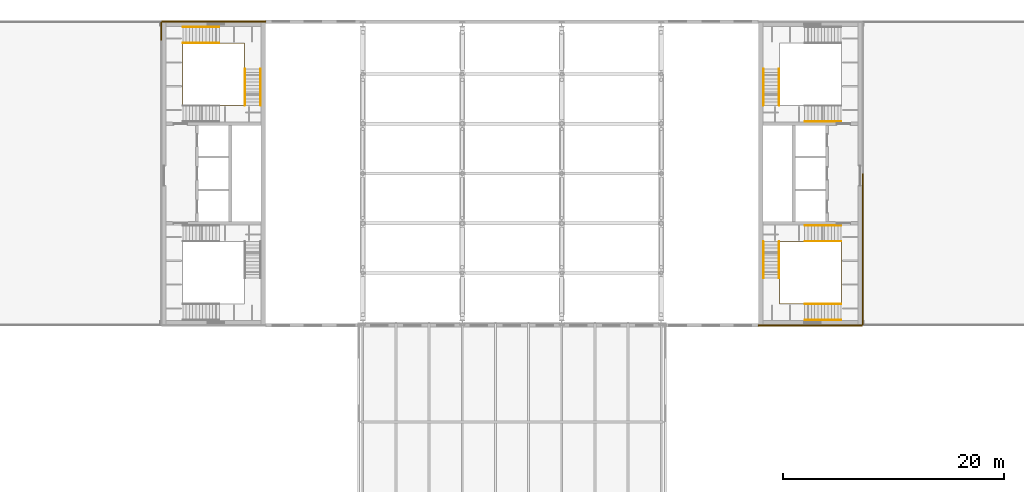
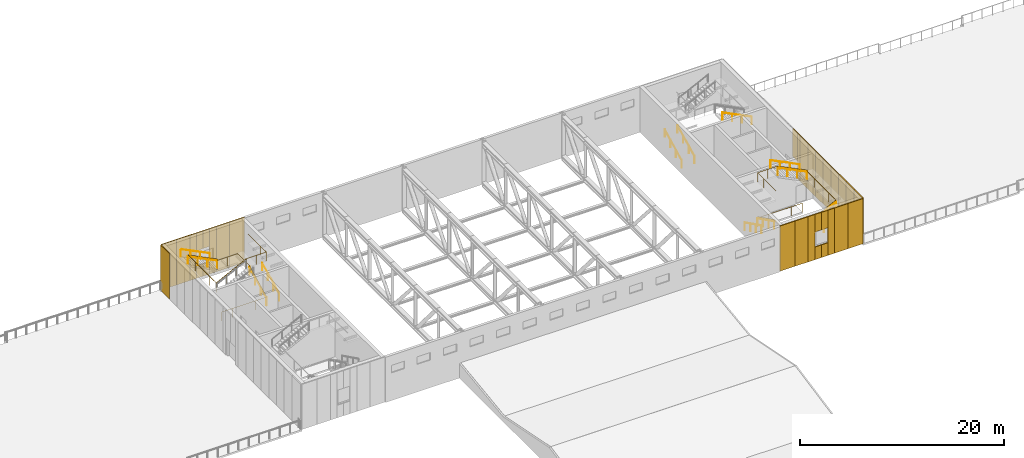
# One storey, part 27 of 29: 31 coverings, 15 railings.
"""IFC4 building model written with IfcOpenShell, lengths in metres."""

from ifc_helpers import new_model, si_unit, direction, frame, origin, origin_2d, place, context, subcontext, project, spatial, rectangle, circle, extrude, material, layer, layer_set, type_object, element, save


model = new_model("IFC4")

# Units and contexts
model_context = context("Model", 3, precision=1e-05, world=origin(), true_north=direction((0.0, 1.0)))
body_context = subcontext(model_context, "Body", "Model", "MODEL_VIEW")
ifc_project = project(units=[si_unit("LENGTHUNIT", "METRE"), si_unit("AREAUNIT", "SQUARE_METRE"), si_unit("VOLUMEUNIT", "CUBIC_METRE"), si_unit("PLANEANGLEUNIT", "RADIAN"), si_unit("MASSUNIT", "GRAM", prefix="KILO")], contexts=[model_context])

# Site, building, storey
site_placement = place(None, origin())
site = spatial("IfcSite", under=ifc_project, at=site_placement, CompositionType="ELEMENT")
building_placement = place(site_placement, origin())
building = spatial("IfcBuilding", under=site, at=building_placement, Name="Azimuth Sports and Learning Centre", CompositionType="ELEMENT")
storey_placement = place(building_placement, frame((0.0, 0.0, 27.0)))
storey = spatial("IfcBuildingStorey", under=building, at=storey_placement, Name="L05", CompositionType="ELEMENT", Elevation=27.0)

# Coverings
ifc_material_1 = material(Name="Cladding panel")
ifc_layer = layer(ifc_material_1, 0.10009765625)
ifc_layer_set = layer_set([ifc_layer], Name="Cladding panel")
covering_type = type_object("IfcCoveringType", Name="Cladding panel 100", PredefinedType="CLADDING", material=ifc_layer_set)
covering_1_placement = place(storey_placement, frame((108.64990234375, 89.75, 0.0), z_axis=(0.0, 0.0, 1.0), x_axis=(1.0, 0.0, 0.0)))
element("IfcCovering", 1, at=covering_1_placement, inside=storey, type_object=covering_type, Name="Cladding panel S-CORE E L05 1", PredefinedType="CLADDING", context=body_context, shape_type="SweptSolid", body=[
    extrude(rectangle(XDim=1.699951171875, YDim=0.10009765625, at=origin_2d()), origin(), (0.0, 0.0, 1.0), 5.39990234375),
])
covering_2_placement = place(storey_placement, frame((110.25, 89.75, 0.0), z_axis=(0.0, 0.0, 1.0), x_axis=(1.0, 0.0, 0.0)))
element("IfcCovering", 2, at=covering_2_placement, inside=storey, type_object=covering_type, Name="Cladding panel S-CORE E L05 2", PredefinedType="CLADDING", context=body_context, shape_type="SweptSolid", body=[
    extrude(rectangle(XDim=1.5, YDim=0.10009765625, at=origin_2d()), origin(), (0.0, 0.0, 1.0), 5.39990234375),
])
covering_3_placement = place(storey_placement, frame((111.375, 89.75, 0.0), z_axis=(0.0, 0.0, 1.0), x_axis=(1.0, 0.0, 0.0)))
element("IfcCovering", 3, at=covering_3_placement, inside=storey, type_object=covering_type, Name="Cladding panel S-CORE E L05 3", PredefinedType="CLADDING", context=body_context, shape_type="SweptSolid", body=[
    extrude(rectangle(XDim=0.75, YDim=0.10009765625, at=origin_2d()), origin(), (0.0, 0.0, 1.0), 5.39990234375),
])
covering_4_placement = place(storey_placement, frame((112.125, 89.75, 0.0), z_axis=(0.0, 0.0, 1.0), x_axis=(1.0, 0.0, 0.0)))
element("IfcCovering", 4, at=covering_4_placement, inside=storey, type_object=covering_type, Name="Cladding panel S-CORE E L05 4", PredefinedType="CLADDING", context=body_context, shape_type="SweptSolid", body=[
    extrude(rectangle(XDim=0.75, YDim=0.10009765625, at=origin_2d()), origin(), (0.0, 0.0, 1.0), 1.5),
])
covering_5_placement = place(storey_placement, frame((112.125, 89.75, 3.300048828125), z_axis=(0.0, 0.0, 1.0), x_axis=(1.0, 0.0, 0.0)))
element("IfcCovering", 5, at=covering_5_placement, inside=storey, type_object=covering_type, Name="Cladding panel S-CORE E L05 5", PredefinedType="CLADDING", context=body_context, shape_type="SweptSolid", body=[
    extrude(rectangle(XDim=0.75, YDim=0.10009765625, at=origin_2d()), origin(), (0.0, 0.0, 1.0), 2.10009765625),
])
covering_6_placement = place(storey_placement, frame((113.625, 89.75, 0.0), z_axis=(0.0, 0.0, 1.0), x_axis=(1.0, 0.0, 0.0)))
element("IfcCovering", 6, at=covering_6_placement, inside=storey, type_object=covering_type, Name="Cladding panel S-CORE E L05 6", PredefinedType="CLADDING", context=body_context, shape_type="SweptSolid", body=[
    extrude(rectangle(XDim=0.75, YDim=0.10009765625, at=origin_2d()), origin(), (0.0, 0.0, 1.0), 5.39990234375),
])
covering_7_placement = place(storey_placement, frame((112.875, 89.75, 0.0), z_axis=(0.0, 0.0, 1.0), x_axis=(1.0, 0.0, 0.0)))
element("IfcCovering", 7, at=covering_7_placement, inside=storey, type_object=covering_type, Name="Cladding panel S-CORE E L05 7", PredefinedType="CLADDING", context=body_context, shape_type="SweptSolid", body=[
    extrude(rectangle(XDim=0.75, YDim=0.10009765625, at=origin_2d()), origin(), (0.0, 0.0, 1.0), 1.5),
])
covering_8_placement = place(storey_placement, frame((112.875, 89.75, 3.300048828125), z_axis=(0.0, 0.0, 1.0), x_axis=(1.0, 0.0, 0.0)))
element("IfcCovering", 8, at=covering_8_placement, inside=storey, type_object=covering_type, Name="Cladding panel S-CORE E L05 8", PredefinedType="CLADDING", context=body_context, shape_type="SweptSolid", body=[
    extrude(rectangle(XDim=0.75, YDim=0.10009765625, at=origin_2d()), origin(), (0.0, 0.0, 1.0), 2.10009765625),
])
covering_9_placement = place(storey_placement, frame((114.75, 89.75, 0.0), z_axis=(0.0, 0.0, 1.0), x_axis=(1.0, 0.0, 0.0)))
element("IfcCovering", 9, at=covering_9_placement, inside=storey, type_object=covering_type, Name="Cladding panel S-CORE E L05 9", PredefinedType="CLADDING", context=body_context, shape_type="SweptSolid", body=[
    extrude(rectangle(XDim=1.5, YDim=0.10009765625, at=origin_2d()), origin(), (0.0, 0.0, 1.0), 5.39990234375),
])
for number, where, z_axis, x_axis, name in (
    (10, (116.35009765625, 89.75, 0.0), (0.0, 0.0, 1.0), (1.0, 0.0, 0.0), "Cladding panel S-CORE E L05 10"),
    (11, (117.25, 90.64990234375, 0.0), (0.0, 0.0, 1.0), (0.0, 1.0, 0.0), "Cladding panel E-CORE E L05 1"),
):
    element("IfcCovering", number, at=place(storey_placement, frame(where, z_axis=z_axis, x_axis=x_axis)), inside=storey, type_object=covering_type, Name=name, PredefinedType="CLADDING", context=body_context, shape_type="SweptSolid", body=[
        extrude(rectangle(XDim=1.699951171875, YDim=0.10009765625, at=origin_2d()), origin(), (0.0, 0.0, 1.0), 5.39990234375),
    ])
for number, where, z_axis, x_axis, name in (
    (12, (117.25, 92.25, 0.0), (0.0, 0.0, 1.0), (0.0, 1.0, 0.0), "Cladding panel E-CORE E L05 2"),
    (13, (117.25, 93.75, 0.0), (0.0, 0.0, 1.0), (0.0, 1.0, 0.0), "Cladding panel E-CORE E L05 3"),
    (14, (117.25, 95.25, 0.0), (0.0, 0.0, 1.0), (0.0, 1.0, 0.0), "Cladding panel E-CORE E L05 4"),
    (15, (117.25, 96.75, 0.0), (0.0, 0.0, 1.0), (0.0, 1.0, 0.0), "Cladding panel E-CORE E L05 5"),
    (16, (117.25, 98.25, 0.0), (0.0, 0.0, 1.0), (0.0, 1.0, 0.0), "Cladding panel E-CORE E L05 6"),
    (17, (117.25, 99.75, 0.0), (0.0, 0.0, 1.0), (0.0, 1.0, 0.0), "Cladding panel E-CORE E L05 7"),
    (18, (117.25, 101.25, 0.0), (0.0, 0.0, 1.0), (0.0, 1.0, 0.0), "Cladding panel E-CORE E L05 8"),
):
    element("IfcCovering", number, at=place(storey_placement, frame(where, z_axis=z_axis, x_axis=x_axis)), inside=storey, type_object=covering_type, Name=name, PredefinedType="CLADDING", context=body_context, shape_type="SweptSolid", body=[
        extrude(rectangle(XDim=1.5, YDim=0.10009765625, at=origin_2d()), origin(), (0.0, 0.0, 1.0), 5.39990234375),
    ])
covering_10_placement = place(storey_placement, frame((117.25, 103.02490234375, 2.10009765625), z_axis=(0.0, 0.0, 1.0), x_axis=(0.0, 1.0, 0.0)))
element("IfcCovering", 19, at=covering_10_placement, inside=storey, type_object=covering_type, Name="Cladding panel E-CORE E L05 9", PredefinedType="CLADDING", context=body_context, shape_type="SweptSolid", body=[
    extrude(rectangle(XDim=0.949951171875, YDim=0.10009765625, at=origin_2d()), origin(), (0.0, 0.0, 1.0), 3.300048828125),
])
covering_11_placement = place(storey_placement, frame((117.25, 102.27490234375, 0.0), z_axis=(0.0, 0.0, 1.0), x_axis=(0.0, 1.0, 0.0)))
element("IfcCovering", 20, at=covering_11_placement, inside=storey, type_object=covering_type, Name="Cladding panel E-CORE E L05 10", PredefinedType="CLADDING", context=body_context, shape_type="SweptSolid", body=[
    extrude(rectangle(XDim=0.550048828125, YDim=0.10009765625, at=origin_2d()), origin(), (0.0, 0.0, 1.0), 5.39990234375),
])
covering_12_placement = place(storey_placement, frame((62.35009765625, 117.25, 0.0), z_axis=(0.0, 0.0, 1.0), x_axis=(-1.0, 0.0, 0.0)))
element("IfcCovering", 21, at=covering_12_placement, inside=storey, type_object=covering_type, Name="Cladding panel N-CORE W L05 1", PredefinedType="CLADDING", context=body_context, shape_type="SweptSolid", body=[
    extrude(rectangle(XDim=1.699951171875, YDim=0.10009765625, at=origin_2d()), origin(), (0.0, 0.0, 1.0), 5.39990234375),
])
covering_13_placement = place(storey_placement, frame((60.75, 117.25, 0.0), z_axis=(0.0, 0.0, 1.0), x_axis=(-1.0, 0.0, 0.0)))
element("IfcCovering", 22, at=covering_13_placement, inside=storey, type_object=covering_type, Name="Cladding panel N-CORE W L05 2", PredefinedType="CLADDING", context=body_context, shape_type="SweptSolid", body=[
    extrude(rectangle(XDim=1.5, YDim=0.10009765625, at=origin_2d()), origin(), (0.0, 0.0, 1.0), 5.39990234375),
])
covering_14_placement = place(storey_placement, frame((59.625, 117.25, 0.0), z_axis=(0.0, 0.0, 1.0), x_axis=(-1.0, 0.0, 0.0)))
element("IfcCovering", 23, at=covering_14_placement, inside=storey, type_object=covering_type, Name="Cladding panel N-CORE W L05 3", PredefinedType="CLADDING", context=body_context, shape_type="SweptSolid", body=[
    extrude(rectangle(XDim=0.75, YDim=0.10009765625, at=origin_2d()), origin(), (0.0, 0.0, 1.0), 5.39990234375),
])
covering_15_placement = place(storey_placement, frame((58.875, 117.25, 0.0), z_axis=(0.0, 0.0, 1.0), x_axis=(-1.0, 0.0, 0.0)))
element("IfcCovering", 24, at=covering_15_placement, inside=storey, type_object=covering_type, Name="Cladding panel N-CORE W L05 4", PredefinedType="CLADDING", context=body_context, shape_type="SweptSolid", body=[
    extrude(rectangle(XDim=0.75, YDim=0.10009765625, at=origin_2d()), origin(), (0.0, 0.0, 1.0), 1.5),
])
covering_16_placement = place(storey_placement, frame((58.875, 117.25, 3.300048828125), z_axis=(0.0, 0.0, 1.0), x_axis=(-1.0, 0.0, 0.0)))
element("IfcCovering", 25, at=covering_16_placement, inside=storey, type_object=covering_type, Name="Cladding panel N-CORE W L05 5", PredefinedType="CLADDING", context=body_context, shape_type="SweptSolid", body=[
    extrude(rectangle(XDim=0.75, YDim=0.10009765625, at=origin_2d()), origin(), (0.0, 0.0, 1.0), 2.10009765625),
])
covering_17_placement = place(storey_placement, frame((57.375, 117.25, 0.0), z_axis=(0.0, 0.0, 1.0), x_axis=(-1.0, 0.0, 0.0)))
element("IfcCovering", 26, at=covering_17_placement, inside=storey, type_object=covering_type, Name="Cladding panel N-CORE W L05 6", PredefinedType="CLADDING", context=body_context, shape_type="SweptSolid", body=[
    extrude(rectangle(XDim=0.75, YDim=0.10009765625, at=origin_2d()), origin(), (0.0, 0.0, 1.0), 5.39990234375),
])
covering_18_placement = place(storey_placement, frame((58.125, 117.25, 0.0), z_axis=(0.0, 0.0, 1.0), x_axis=(-1.0, 0.0, 0.0)))
element("IfcCovering", 27, at=covering_18_placement, inside=storey, type_object=covering_type, Name="Cladding panel N-CORE W L05 7", PredefinedType="CLADDING", context=body_context, shape_type="SweptSolid", body=[
    extrude(rectangle(XDim=0.75, YDim=0.10009765625, at=origin_2d()), origin(), (0.0, 0.0, 1.0), 1.5),
])
covering_19_placement = place(storey_placement, frame((58.125, 117.25, 3.300048828125), z_axis=(0.0, 0.0, 1.0), x_axis=(-1.0, 0.0, 0.0)))
element("IfcCovering", 28, at=covering_19_placement, inside=storey, type_object=covering_type, Name="Cladding panel N-CORE W L05 8", PredefinedType="CLADDING", context=body_context, shape_type="SweptSolid", body=[
    extrude(rectangle(XDim=0.75, YDim=0.10009765625, at=origin_2d()), origin(), (0.0, 0.0, 1.0), 2.10009765625),
])
covering_20_placement = place(storey_placement, frame((56.25, 117.25, 0.0), z_axis=(0.0, 0.0, 1.0), x_axis=(-1.0, 0.0, 0.0)))
element("IfcCovering", 29, at=covering_20_placement, inside=storey, type_object=covering_type, Name="Cladding panel N-CORE W L05 9", PredefinedType="CLADDING", context=body_context, shape_type="SweptSolid", body=[
    extrude(rectangle(XDim=1.5, YDim=0.10009765625, at=origin_2d()), origin(), (0.0, 0.0, 1.0), 5.39990234375),
])
for number, where, z_axis, x_axis, name in (
    (30, (54.64990234375, 117.25, 0.0), (0.0, 0.0, 1.0), (-1.0, 0.0, 0.0), "Cladding panel N-CORE W L05 10"),
    (31, (53.75, 116.35009765625, 0.0), (0.0, 0.0, 1.0), (0.0, -1.0, 0.0), "Cladding panel W-CORE W L05 1"),
):
    element("IfcCovering", number, at=place(storey_placement, frame(where, z_axis=z_axis, x_axis=x_axis)), inside=storey, type_object=covering_type, Name=name, PredefinedType="CLADDING", context=body_context, shape_type="SweptSolid", body=[
        extrude(rectangle(XDim=1.699951171875, YDim=0.10009765625, at=origin_2d()), origin(), (0.0, 0.0, 1.0), 5.39990234375),
    ])

# Railings
ifc_material_2 = material(Name="Stainless steel", Category="steel")
railing_type_1 = type_object("IfcRailingType", Name="Stair guard 1100", PredefinedType="GUARDRAIL", material=ifc_material_2)
railing_1_placement = place(storey_placement, frame((56.25, 109.659912109375, 0.0)))
element("IfcRailing", 32, at=railing_1_placement, inside=storey, type_object=railing_type_1, Name="Guard W2 L05 well", PredefinedType="GUARDRAIL", context=body_context, shape_type="SweptSolid", body=[
    extrude(circle(Radius=0.02392578125, at=origin_2d()), frame((0.0, 0.0, 1.076171875), z_axis=(1.0, 0.0, 0.0), x_axis=(0.0, 1.0, 0.0)), (0.0, 0.0, 1.0), 5.0400390625),
    extrude(circle(Radius=0.02392578125, at=origin_2d()), frame((5.0400390625, 0.0, 1.076171875), z_axis=(0.0, 0.0, 1.0), x_axis=(1.0, 0.0, 0.0)), (0.0, 0.0, 1.0), 0.14990234375),
    extrude(circle(Radius=0.02392578125, at=origin_2d()), frame((5.0400390625, 0.0, 1.22607421875), z_axis=(0.0, 0.894413956696, 0.447240063129), x_axis=(-1.0, 0.0, 0.0)), (0.0, 0.0, 1.0), 3.689697265625),
    extrude(circle(Radius=0.02392578125, at=origin_2d()), frame((5.0400390625, 3.300048828125, 2.8759765625), z_axis=(0.0, 1.0, 0.0), x_axis=(-1.0, 0.0, 0.0)), (0.0, 0.0, 1.0), 2.330078125),
    extrude(circle(Radius=0.02392578125, at=origin_2d()), frame((5.0400390625, 5.630126953125, 2.8759765625), z_axis=(-1.0, 0.0, 0.0), x_axis=(0.0, -1.0, 0.0)), (0.0, 0.0, 1.0), 2.280029296875),
    extrude(circle(Radius=0.02392578125, at=origin_2d()), frame((2.760009765625, 5.630126953125, 2.8759765625), z_axis=(0.0, 0.0, 1.0), x_axis=(1.0, 0.0, 0.0)), (0.0, 0.0, 1.0), 0.14990234375),
    extrude(circle(Radius=0.02392578125, at=origin_2d()), frame((2.760009765625, 5.630126953125, 3.02587890625), z_axis=(-0.894413956696, 0.0, 0.447240063129), x_axis=(0.0, -1.0, 0.0)), (0.0, 0.0, 1.0), 3.689697265625),
    extrude(circle(Radius=0.02392578125, at=origin_2d()), frame((-0.5400390625, 5.630126953125, 4.67626953125), z_axis=(0.0, -1.0, 0.0), x_axis=(1.0, 0.0, 0.0)), (0.0, 0.0, 1.0), 5.630126953125),
    extrude(circle(Radius=0.02392578125, at=origin_2d()), frame((-0.5400390625, 0.0, 4.67626953125), z_axis=(0.0, 0.0, 1.0), x_axis=(1.0, 0.0, 0.0)), (0.0, 0.0, 1.0), 0.14990234375),
    extrude(circle(Radius=0.02392578125, at=origin_2d()), frame((-0.5400390625, 0.0, 4.826171875), z_axis=(0.894440424912, 0.0, 0.447187126696), x_axis=(0.0, 1.0, 0.0)), (0.0, 0.0, 1.0), 3.689453125),
    extrude(circle(Radius=0.02392578125, at=origin_2d()), frame((2.760009765625, 0.0, 6.47607421875), z_axis=(1.0, 0.0, 0.0), x_axis=(0.0, 1.0, 0.0)), (0.0, 0.0, 1.0), 2.280029296875),
    extrude(circle(Radius=0.02392578125, at=origin_2d()), frame((5.0400390625, 0.0, 6.47607421875), z_axis=(0.0, 1.0, 0.0), x_axis=(-1.0, 0.0, 0.0)), (0.0, 0.0, 1.0), 3.590087890625),
    extrude(circle(Radius=0.01611328125, at=origin_2d()), origin(), (0.0, 0.0, 1.0), 1.052001953125),
    extrude(circle(Radius=0.01611328125, at=origin_2d()), frame((1.260009765625, 0.0, 0.0)), (0.0, 0.0, 1.0), 1.052001953125),
    extrude(circle(Radius=0.01611328125, at=origin_2d()), frame((2.52001953125, 0.0, 0.0)), (0.0, 0.0, 1.0), 1.052001953125),
    extrude(circle(Radius=0.01611328125, at=origin_2d()), frame((3.780029296875, 0.0, 0.0)), (0.0, 0.0, 1.0), 1.052001953125),
    extrude(circle(Radius=0.01611328125, at=origin_2d()), frame((5.0400390625, 0.0, 0.0)), (0.0, 0.0, 1.0), 1.052001953125),
    extrude(circle(Radius=0.01611328125, at=origin_2d()), frame((5.0400390625, 0.0, 0.14990234375)), (0.0, 0.0, 1.0), 1.052001953125),
    extrude(circle(Radius=0.01611328125, at=origin_2d()), frame((5.0400390625, 1.10009765625, 0.699951171875)), (0.0, 0.0, 1.0), 1.052001953125),
    extrude(circle(Radius=0.01611328125, at=origin_2d()), frame((5.0400390625, 2.199951171875, 1.25)), (0.0, 0.0, 1.0), 1.052001953125),
    extrude(circle(Radius=0.01611328125, at=origin_2d()), frame((5.0400390625, 3.300048828125, 1.800048828125)), (0.0, 0.0, 1.0), 1.052001953125),
    extrude(circle(Radius=0.01611328125, at=origin_2d()), frame((5.0400390625, 4.465087890625, 1.800048828125)), (0.0, 0.0, 1.0), 1.052001953125),
    extrude(circle(Radius=0.01611328125, at=origin_2d()), frame((5.0400390625, 5.630126953125, 1.800048828125)), (0.0, 0.0, 1.0), 1.052001953125),
    extrude(circle(Radius=0.01611328125, at=origin_2d()), frame((3.89990234375, 5.630126953125, 1.800048828125)), (0.0, 0.0, 1.0), 1.052001953125),
    extrude(circle(Radius=0.01611328125, at=origin_2d()), frame((2.760009765625, 5.630126953125, 1.800048828125)), (0.0, 0.0, 1.0), 1.052001953125),
    extrude(circle(Radius=0.01611328125, at=origin_2d()), frame((2.760009765625, 5.630126953125, 1.949951171875)), (0.0, 0.0, 1.0), 1.052001953125),
    extrude(circle(Radius=0.01611328125, at=origin_2d()), frame((1.659912109375, 5.630126953125, 2.5)), (0.0, 0.0, 1.0), 1.052001953125),
    extrude(circle(Radius=0.01611328125, at=origin_2d()), frame((0.56005859375, 5.630126953125, 3.050048828125)), (0.0, 0.0, 1.0), 1.052001953125),
    extrude(circle(Radius=0.01611328125, at=origin_2d()), frame((-0.5400390625, 5.630126953125, 3.60009765625)), (0.0, 0.0, 1.0), 1.052001953125),
    extrude(circle(Radius=0.01611328125, at=origin_2d()), frame((-0.5400390625, 4.22265625, 3.60009765625)), (0.0, 0.0, 1.0), 1.052001953125),
    extrude(circle(Radius=0.01611328125, at=origin_2d()), frame((-0.5400390625, 2.81494140625, 3.60009765625)), (0.0, 0.0, 1.0), 1.052001953125),
    extrude(circle(Radius=0.01611328125, at=origin_2d()), frame((-0.5400390625, 1.407470703125, 3.60009765625)), (0.0, 0.0, 1.0), 1.052001953125),
    extrude(circle(Radius=0.01611328125, at=origin_2d()), frame((-0.5400390625, 0.0, 3.60009765625)), (0.0, 0.0, 1.0), 1.052001953125),
    extrude(circle(Radius=0.01611328125, at=origin_2d()), frame((-0.5400390625, 0.0, 3.75)), (0.0, 0.0, 1.0), 1.052001953125),
    extrude(circle(Radius=0.01611328125, at=origin_2d()), frame((0.56005859375, 0.0, 4.300048828125)), (0.0, 0.0, 1.0), 1.052001953125),
    extrude(circle(Radius=0.01611328125, at=origin_2d()), frame((1.659912109375, 0.0, 4.849853515625)), (0.0, 0.0, 1.0), 1.052001953125),
    extrude(circle(Radius=0.01611328125, at=origin_2d()), frame((2.760009765625, 0.0, 5.39990234375)), (0.0, 0.0, 1.0), 1.052001953125),
    extrude(circle(Radius=0.01611328125, at=origin_2d()), frame((3.89990234375, 0.0, 5.39990234375)), (0.0, 0.0, 1.0), 1.052001953125),
    extrude(circle(Radius=0.01611328125, at=origin_2d()), frame((5.0400390625, 0.0, 5.39990234375)), (0.0, 0.0, 1.0), 1.052001953125),
    extrude(circle(Radius=0.01611328125, at=origin_2d()), frame((5.0400390625, 1.19677734375, 5.39990234375)), (0.0, 0.0, 1.0), 1.052001953125),
    extrude(circle(Radius=0.01611328125, at=origin_2d()), frame((5.0400390625, 2.393310546875, 5.39990234375)), (0.0, 0.0, 1.0), 1.052001953125),
    extrude(circle(Radius=0.01611328125, at=origin_2d()), frame((5.0400390625, 3.590087890625, 5.39990234375)), (0.0, 0.0, 1.0), 1.052001953125),
])
railing_2_placement = place(storey_placement, frame((114.75, 97.340087890625, 0.0)))
element("IfcRailing", 33, at=railing_2_placement, inside=storey, type_object=railing_type_1, Name="Guard E1 L05 well", PredefinedType="GUARDRAIL", context=body_context, shape_type="SweptSolid", body=[
    extrude(circle(Radius=0.02392578125, at=origin_2d()), frame((0.0, 0.0, 1.076171875), z_axis=(-1.0, 0.0, 0.0), x_axis=(0.0, -1.0, 0.0)), (0.0, 0.0, 1.0), 5.0400390625),
    extrude(circle(Radius=0.02392578125, at=origin_2d()), frame((-5.0400390625, 0.0, 1.076171875), z_axis=(0.0, 0.0, 1.0), x_axis=(1.0, 0.0, 0.0)), (0.0, 0.0, 1.0), 0.14990234375),
    extrude(circle(Radius=0.02392578125, at=origin_2d()), frame((-5.0400390625, 0.0, 1.22607421875), z_axis=(0.0, -0.894413956696, 0.447240063129), x_axis=(1.0, 0.0, 0.0)), (0.0, 0.0, 1.0), 3.689697265625),
    extrude(circle(Radius=0.02392578125, at=origin_2d()), frame((-5.0400390625, -3.300048828125, 2.8759765625), z_axis=(0.0, -1.0, 0.0), x_axis=(1.0, 0.0, 0.0)), (0.0, 0.0, 1.0), 2.330078125),
    extrude(circle(Radius=0.02392578125, at=origin_2d()), frame((-5.0400390625, -5.630126953125, 2.8759765625), z_axis=(1.0, 0.0, 0.0), x_axis=(0.0, 1.0, 0.0)), (0.0, 0.0, 1.0), 2.280029296875),
    extrude(circle(Radius=0.02392578125, at=origin_2d()), frame((-2.760009765625, -5.630126953125, 2.8759765625), z_axis=(0.0, 0.0, 1.0), x_axis=(1.0, 0.0, 0.0)), (0.0, 0.0, 1.0), 0.14990234375),
    extrude(circle(Radius=0.02392578125, at=origin_2d()), frame((-2.760009765625, -5.630126953125, 3.02587890625), z_axis=(0.894413956696, 0.0, 0.447240063129), x_axis=(0.0, 1.0, 0.0)), (0.0, 0.0, 1.0), 3.689697265625),
    extrude(circle(Radius=0.02392578125, at=origin_2d()), frame((0.5400390625, -5.630126953125, 4.67626953125), z_axis=(0.0, 1.0, 0.0), x_axis=(-1.0, 0.0, 0.0)), (0.0, 0.0, 1.0), 5.630126953125),
    extrude(circle(Radius=0.02392578125, at=origin_2d()), frame((0.5400390625, 0.0, 4.67626953125), z_axis=(0.0, 0.0, 1.0), x_axis=(1.0, 0.0, 0.0)), (0.0, 0.0, 1.0), 0.14990234375),
    extrude(circle(Radius=0.02392578125, at=origin_2d()), frame((0.5400390625, 0.0, 4.826171875), z_axis=(-0.894440424912, 0.0, 0.447187126696), x_axis=(0.0, -1.0, 0.0)), (0.0, 0.0, 1.0), 3.689453125),
    extrude(circle(Radius=0.02392578125, at=origin_2d()), frame((-2.760009765625, 0.0, 6.47607421875), z_axis=(-1.0, 0.0, 0.0), x_axis=(0.0, -1.0, 0.0)), (0.0, 0.0, 1.0), 2.280029296875),
    extrude(circle(Radius=0.02392578125, at=origin_2d()), frame((-5.0400390625, 0.0, 6.47607421875), z_axis=(0.0, -1.0, 0.0), x_axis=(1.0, 0.0, 0.0)), (0.0, 0.0, 1.0), 3.590087890625),
    extrude(circle(Radius=0.01611328125, at=origin_2d()), origin(), (0.0, 0.0, 1.0), 1.052001953125),
    extrude(circle(Radius=0.01611328125, at=origin_2d()), frame((-1.260009765625, 0.0, 0.0)), (0.0, 0.0, 1.0), 1.052001953125),
    extrude(circle(Radius=0.01611328125, at=origin_2d()), frame((-2.52001953125, 0.0, 0.0)), (0.0, 0.0, 1.0), 1.052001953125),
    extrude(circle(Radius=0.01611328125, at=origin_2d()), frame((-3.780029296875, 0.0, 0.0)), (0.0, 0.0, 1.0), 1.052001953125),
    extrude(circle(Radius=0.01611328125, at=origin_2d()), frame((-5.0400390625, 0.0, 0.0)), (0.0, 0.0, 1.0), 1.052001953125),
    extrude(circle(Radius=0.01611328125, at=origin_2d()), frame((-5.0400390625, 0.0, 0.14990234375)), (0.0, 0.0, 1.0), 1.052001953125),
    extrude(circle(Radius=0.01611328125, at=origin_2d()), frame((-5.0400390625, -1.10009765625, 0.699951171875)), (0.0, 0.0, 1.0), 1.052001953125),
    extrude(circle(Radius=0.01611328125, at=origin_2d()), frame((-5.0400390625, -2.199951171875, 1.25)), (0.0, 0.0, 1.0), 1.052001953125),
    extrude(circle(Radius=0.01611328125, at=origin_2d()), frame((-5.0400390625, -3.300048828125, 1.800048828125)), (0.0, 0.0, 1.0), 1.052001953125),
    extrude(circle(Radius=0.01611328125, at=origin_2d()), frame((-5.0400390625, -4.465087890625, 1.800048828125)), (0.0, 0.0, 1.0), 1.052001953125),
    extrude(circle(Radius=0.01611328125, at=origin_2d()), frame((-5.0400390625, -5.630126953125, 1.800048828125)), (0.0, 0.0, 1.0), 1.052001953125),
    extrude(circle(Radius=0.01611328125, at=origin_2d()), frame((-3.89990234375, -5.630126953125, 1.800048828125)), (0.0, 0.0, 1.0), 1.052001953125),
    extrude(circle(Radius=0.01611328125, at=origin_2d()), frame((-2.760009765625, -5.630126953125, 1.800048828125)), (0.0, 0.0, 1.0), 1.052001953125),
    extrude(circle(Radius=0.01611328125, at=origin_2d()), frame((-2.760009765625, -5.630126953125, 1.949951171875)), (0.0, 0.0, 1.0), 1.052001953125),
    extrude(circle(Radius=0.01611328125, at=origin_2d()), frame((-1.659912109375, -5.630126953125, 2.5)), (0.0, 0.0, 1.0), 1.052001953125),
    extrude(circle(Radius=0.01611328125, at=origin_2d()), frame((-0.56005859375, -5.630126953125, 3.050048828125)), (0.0, 0.0, 1.0), 1.052001953125),
    extrude(circle(Radius=0.01611328125, at=origin_2d()), frame((0.5400390625, -5.630126953125, 3.60009765625)), (0.0, 0.0, 1.0), 1.052001953125),
    extrude(circle(Radius=0.01611328125, at=origin_2d()), frame((0.5400390625, -4.22265625, 3.60009765625)), (0.0, 0.0, 1.0), 1.052001953125),
    extrude(circle(Radius=0.01611328125, at=origin_2d()), frame((0.5400390625, -2.81494140625, 3.60009765625)), (0.0, 0.0, 1.0), 1.052001953125),
    extrude(circle(Radius=0.01611328125, at=origin_2d()), frame((0.5400390625, -1.407470703125, 3.60009765625)), (0.0, 0.0, 1.0), 1.052001953125),
    extrude(circle(Radius=0.01611328125, at=origin_2d()), frame((0.5400390625, 0.0, 3.60009765625)), (0.0, 0.0, 1.0), 1.052001953125),
    extrude(circle(Radius=0.01611328125, at=origin_2d()), frame((0.5400390625, 0.0, 3.75)), (0.0, 0.0, 1.0), 1.052001953125),
    extrude(circle(Radius=0.01611328125, at=origin_2d()), frame((-0.56005859375, 0.0, 4.300048828125)), (0.0, 0.0, 1.0), 1.052001953125),
    extrude(circle(Radius=0.01611328125, at=origin_2d()), frame((-1.659912109375, 0.0, 4.849853515625)), (0.0, 0.0, 1.0), 1.052001953125),
    extrude(circle(Radius=0.01611328125, at=origin_2d()), frame((-2.760009765625, 0.0, 5.39990234375)), (0.0, 0.0, 1.0), 1.052001953125),
    extrude(circle(Radius=0.01611328125, at=origin_2d()), frame((-3.89990234375, 0.0, 5.39990234375)), (0.0, 0.0, 1.0), 1.052001953125),
    extrude(circle(Radius=0.01611328125, at=origin_2d()), frame((-5.0400390625, 0.0, 5.39990234375)), (0.0, 0.0, 1.0), 1.052001953125),
    extrude(circle(Radius=0.01611328125, at=origin_2d()), frame((-5.0400390625, -1.19677734375, 5.39990234375)), (0.0, 0.0, 1.0), 1.052001953125),
    extrude(circle(Radius=0.01611328125, at=origin_2d()), frame((-5.0400390625, -2.393310546875, 5.39990234375)), (0.0, 0.0, 1.0), 1.052001953125),
    extrude(circle(Radius=0.01611328125, at=origin_2d()), frame((-5.0400390625, -3.590087890625, 5.39990234375)), (0.0, 0.0, 1.0), 1.052001953125),
])
ifc_material_3 = material(Name="Stainless steel", Category="steel")
railing_type_2 = type_object("IfcRailingType", Name="Stair handrail 42", PredefinedType="HANDRAIL", material=ifc_material_3)
for number, where, name in (
    (34, (61.320068359375, 109.659912109375, 0.14990234375), "Handrail W2 L05 flight 1 inner"),
    (35, (62.760009765625, 109.659912109375, 0.14990234375), "Handrail W2 L05 flight 1 outer"),
):
    element("IfcRailing", number, at=place(storey_placement, frame(where)), inside=storey, type_object=railing_type_2, Name=name, PredefinedType="HANDRAIL", context=body_context, shape_type="SweptSolid", body=[
        extrude(circle(Radius=0.02099609375, at=origin_2d()), frame((0.0, 0.0, 0.87890625), z_axis=(0.0, 0.894413956696, 0.447240063129), x_axis=(-1.0, 0.0, 0.0)), (0.0, 0.0, 1.0), 3.689697265625),
        extrude(circle(Radius=0.01611328125, at=origin_2d()), origin(), (0.0, 0.0, 1.0), 0.85791015625),
        extrude(circle(Radius=0.01611328125, at=origin_2d()), frame((0.0, 1.10009765625, 0.550048828125)), (0.0, 0.0, 1.0), 0.85791015625),
        extrude(circle(Radius=0.01611328125, at=origin_2d()), frame((0.0, 2.199951171875, 1.10009765625)), (0.0, 0.0, 1.0), 0.85791015625),
        extrude(circle(Radius=0.01611328125, at=origin_2d()), frame((0.0, 3.300048828125, 1.650146484375)), (0.0, 0.0, 1.0), 0.85791015625),
    ])
for number, where, name in (
    (36, (59.010009765625, 115.320068359375, 1.949951171875), "Handrail W2 L05 flight 2 inner"),
    (37, (59.010009765625, 116.760009765625, 1.949951171875), "Handrail W2 L05 flight 2 outer"),
):
    element("IfcRailing", number, at=place(storey_placement, frame(where)), inside=storey, type_object=railing_type_2, Name=name, PredefinedType="HANDRAIL", context=body_context, shape_type="SweptSolid", body=[
        extrude(circle(Radius=0.02099609375, at=origin_2d()), frame((0.0, 0.0, 0.87890625), z_axis=(-0.894413956696, 0.0, 0.447240063129), x_axis=(0.0, -1.0, 0.0)), (0.0, 0.0, 1.0), 3.689697265625),
        extrude(circle(Radius=0.01611328125, at=origin_2d()), origin(), (0.0, 0.0, 1.0), 0.85791015625),
        extrude(circle(Radius=0.01611328125, at=origin_2d()), frame((-1.10009765625, 0.0, 0.550048828125)), (0.0, 0.0, 1.0), 0.85791015625),
        extrude(circle(Radius=0.01611328125, at=origin_2d()), frame((-2.199951171875, 0.0, 1.10009765625)), (0.0, 0.0, 1.0), 0.85791015625),
        extrude(circle(Radius=0.01611328125, at=origin_2d()), frame((-3.300048828125, 0.0, 1.650146484375)), (0.0, 0.0, 1.0), 0.85791015625),
    ])
for number, where, name in (
    (38, (109.679931640625, 97.340087890625, 0.14990234375), "Handrail E1 L05 flight 1 inner"),
    (39, (108.239990234375, 97.340087890625, 0.14990234375), "Handrail E1 L05 flight 1 outer"),
):
    element("IfcRailing", number, at=place(storey_placement, frame(where)), inside=storey, type_object=railing_type_2, Name=name, PredefinedType="HANDRAIL", context=body_context, shape_type="SweptSolid", body=[
        extrude(circle(Radius=0.02099609375, at=origin_2d()), frame((0.0, 0.0, 0.87890625), z_axis=(0.0, -0.894413956696, 0.447240063129), x_axis=(1.0, 0.0, 0.0)), (0.0, 0.0, 1.0), 3.689697265625),
        extrude(circle(Radius=0.01611328125, at=origin_2d()), origin(), (0.0, 0.0, 1.0), 0.85791015625),
        extrude(circle(Radius=0.01611328125, at=origin_2d()), frame((0.0, -1.10009765625, 0.550048828125)), (0.0, 0.0, 1.0), 0.85791015625),
        extrude(circle(Radius=0.01611328125, at=origin_2d()), frame((0.0, -2.199951171875, 1.10009765625)), (0.0, 0.0, 1.0), 0.85791015625),
        extrude(circle(Radius=0.01611328125, at=origin_2d()), frame((0.0, -3.300048828125, 1.650146484375)), (0.0, 0.0, 1.0), 0.85791015625),
    ])
for number, where, name in (
    (40, (111.989990234375, 91.679931640625, 1.949951171875), "Handrail E1 L05 flight 2 inner"),
    (41, (111.989990234375, 90.239990234375, 1.949951171875), "Handrail E1 L05 flight 2 outer"),
):
    element("IfcRailing", number, at=place(storey_placement, frame(where)), inside=storey, type_object=railing_type_2, Name=name, PredefinedType="HANDRAIL", context=body_context, shape_type="SweptSolid", body=[
        extrude(circle(Radius=0.02099609375, at=origin_2d()), frame((0.0, 0.0, 0.87890625), z_axis=(0.894413956696, 0.0, 0.447240063129), x_axis=(0.0, 1.0, 0.0)), (0.0, 0.0, 1.0), 3.689697265625),
        extrude(circle(Radius=0.01611328125, at=origin_2d()), origin(), (0.0, 0.0, 1.0), 0.85791015625),
        extrude(circle(Radius=0.01611328125, at=origin_2d()), frame((1.10009765625, 0.0, 0.550048828125)), (0.0, 0.0, 1.0), 0.85791015625),
        extrude(circle(Radius=0.01611328125, at=origin_2d()), frame((2.199951171875, 0.0, 1.10009765625)), (0.0, 0.0, 1.0), 0.85791015625),
        extrude(circle(Radius=0.01611328125, at=origin_2d()), frame((3.300048828125, 0.0, 1.650146484375)), (0.0, 0.0, 1.0), 0.85791015625),
    ])
for number, where, name in (
    (42, (115.2900390625, 97.3701171875, 3.75), "Handrail E1 L05 flight 3 inner"),
    (43, (115.2900390625, 98.81005859375, 3.75), "Handrail E1 L05 flight 3 outer"),
):
    element("IfcRailing", number, at=place(storey_placement, frame(where)), inside=storey, type_object=railing_type_2, Name=name, PredefinedType="HANDRAIL", context=body_context, shape_type="SweptSolid", body=[
        extrude(circle(Radius=0.02099609375, at=origin_2d()), frame((0.0, 0.0, 0.87890625), z_axis=(-0.894440424912, 0.0, 0.447187126696), x_axis=(0.0, -1.0, 0.0)), (0.0, 0.0, 1.0), 3.689453125),
        extrude(circle(Radius=0.01611328125, at=origin_2d()), origin(), (0.0, 0.0, 1.0), 0.85791015625),
        extrude(circle(Radius=0.01611328125, at=origin_2d()), frame((-1.10009765625, 0.0, 0.550048828125)), (0.0, 0.0, 1.0), 0.85791015625),
        extrude(circle(Radius=0.01611328125, at=origin_2d()), frame((-2.199951171875, 0.0, 1.099853515625)), (0.0, 0.0, 1.0), 0.85791015625),
        extrude(circle(Radius=0.01611328125, at=origin_2d()), frame((-3.300048828125, 0.0, 1.64990234375)), (0.0, 0.0, 1.0), 0.85791015625),
    ])
for number, where, name in (
    (44, (109.679931640625, 109.659912109375, 0.14990234375), "Handrail E2 L05 flight 1 inner"),
    (45, (108.239990234375, 109.659912109375, 0.14990234375), "Handrail E2 L05 flight 1 outer"),
):
    element("IfcRailing", number, at=place(storey_placement, frame(where)), inside=storey, type_object=railing_type_2, Name=name, PredefinedType="HANDRAIL", context=body_context, shape_type="SweptSolid", body=[
        extrude(circle(Radius=0.02099609375, at=origin_2d()), frame((0.0, 0.0, 0.87890625), z_axis=(0.0, 0.894413956696, 0.447240063129), x_axis=(-1.0, 0.0, 0.0)), (0.0, 0.0, 1.0), 3.689697265625),
        extrude(circle(Radius=0.01611328125, at=origin_2d()), origin(), (0.0, 0.0, 1.0), 0.85791015625),
        extrude(circle(Radius=0.01611328125, at=origin_2d()), frame((0.0, 1.10009765625, 0.550048828125)), (0.0, 0.0, 1.0), 0.85791015625),
        extrude(circle(Radius=0.01611328125, at=origin_2d()), frame((0.0, 2.199951171875, 1.10009765625)), (0.0, 0.0, 1.0), 0.85791015625),
        extrude(circle(Radius=0.01611328125, at=origin_2d()), frame((0.0, 3.300048828125, 1.650146484375)), (0.0, 0.0, 1.0), 0.85791015625),
    ])
railing_3_placement = place(storey_placement, frame((115.2900390625, 108.18994140625, 3.75)))
element("IfcRailing", 46, at=railing_3_placement, inside=storey, type_object=railing_type_2, Name="Handrail E2 L05 flight 3 outer", PredefinedType="HANDRAIL", context=body_context, shape_type="SweptSolid", body=[
    extrude(circle(Radius=0.02099609375, at=origin_2d()), frame((0.0, 0.0, 0.87890625), z_axis=(-0.894440424912, 0.0, 0.447187126696), x_axis=(0.0, -1.0, 0.0)), (0.0, 0.0, 1.0), 3.689453125),
    extrude(circle(Radius=0.01611328125, at=origin_2d()), origin(), (0.0, 0.0, 1.0), 0.85791015625),
    extrude(circle(Radius=0.01611328125, at=origin_2d()), frame((-1.10009765625, 0.0, 0.550048828125)), (0.0, 0.0, 1.0), 0.85791015625),
    extrude(circle(Radius=0.01611328125, at=origin_2d()), frame((-2.199951171875, 0.0, 1.099853515625)), (0.0, 0.0, 1.0), 0.85791015625),
    extrude(circle(Radius=0.01611328125, at=origin_2d()), frame((-3.300048828125, 0.0, 1.64990234375)), (0.0, 0.0, 1.0), 0.85791015625),
])

save(model, "model.ifc")
